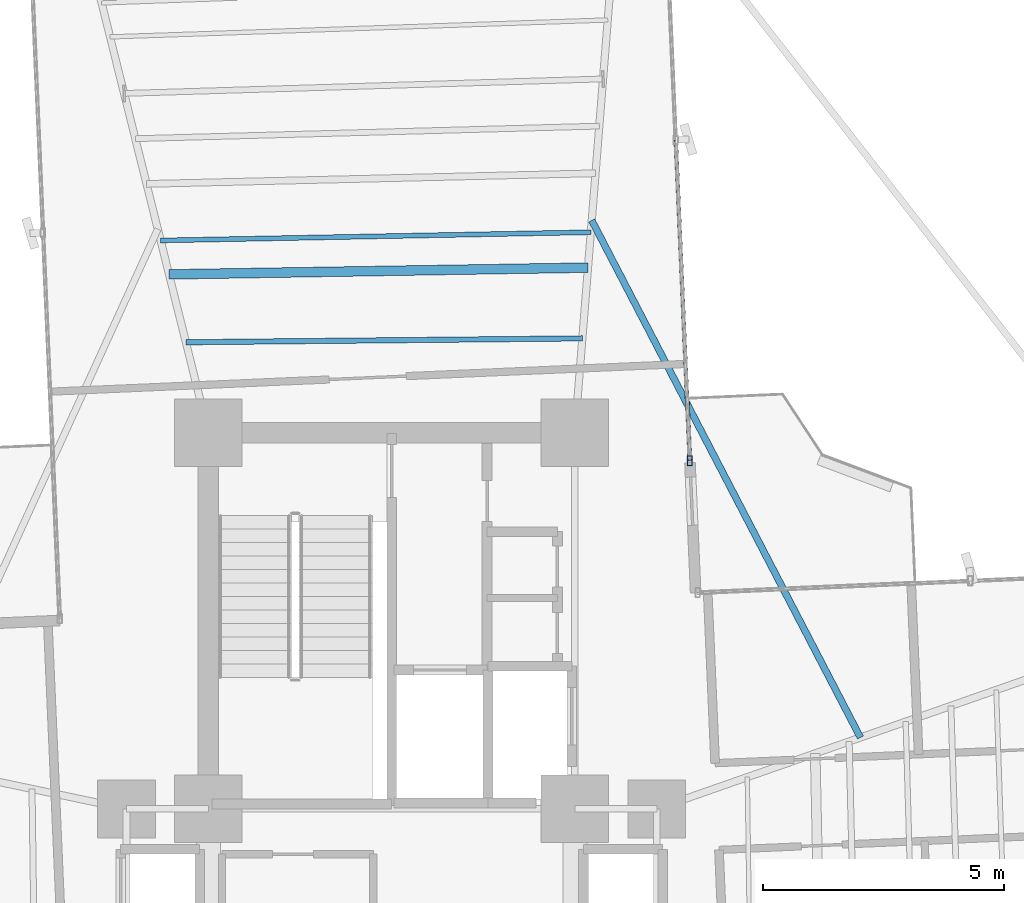
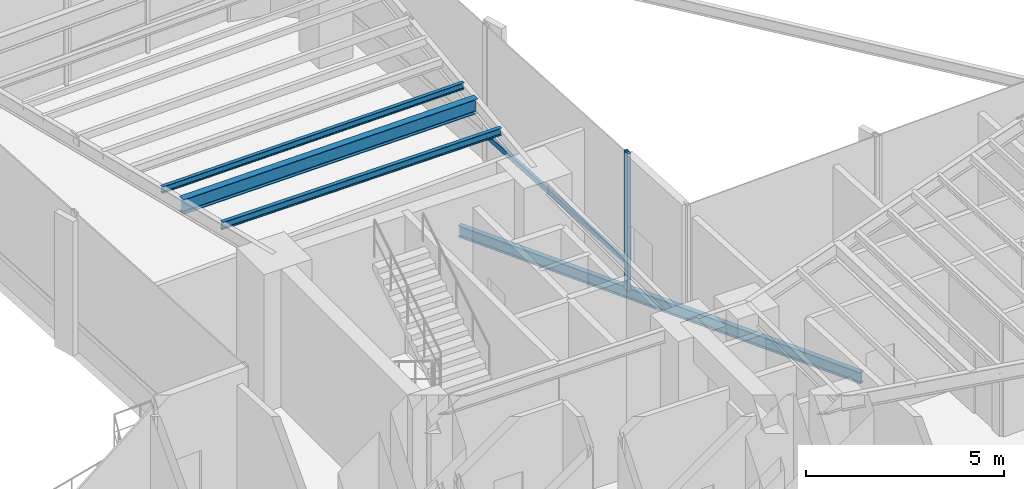
# One storey, part 11 of 23: 4 beams, 2 members, 1 element without a shape of its own.
"""IFC4 building model written with IfcOpenShell, lengths in metres."""

from ifc_helpers import new_model, si_unit, direction, frame, origin, origin_2d, place, context, subcontext, project, spatial, hollow_rectangle, i_section, extrude, source, transform, mapped, material, material_profile, profile_set, type_object, element, aggregate, save


model = new_model("IFC4")

# Units and contexts
model_context = context("Model", 3, precision=1e-05, world=origin(), true_north=direction((0.0, 1.0)))
body_context = subcontext(model_context, "Body", "Model", "MODEL_VIEW")
ifc_project = project(units=[si_unit("LENGTHUNIT", "METRE"), si_unit("AREAUNIT", "SQUARE_METRE"), si_unit("VOLUMEUNIT", "CUBIC_METRE"), si_unit("PLANEANGLEUNIT", "RADIAN"), si_unit("MASSUNIT", "GRAM", prefix="KILO")], contexts=[model_context])

# Site, building, storey
site_placement = place(None, origin())
site = spatial("IfcSite", under=ifc_project, at=site_placement, CompositionType="ELEMENT")
building_placement = place(site_placement, origin())
building = spatial("IfcBuilding", under=site, at=building_placement, Name="Sahyath Konkavel Grand Hotel", CompositionType="ELEMENT")
storey_placement = place(building_placement, frame((0.0, 0.0, 106.949951171875)))
storey = spatial("IfcBuildingStorey", under=building, at=storey_placement, Name="L29", CompositionType="ELEMENT", Elevation=106.949951171875)

# Beams
ifc_material_1 = material(Name="Steel E350", Category="steel")
ifc_material_profile_1 = material_profile(ifc_material_1, i_section(OverallWidth=0.199951171875, OverallDepth=0.449951171875, WebThickness=0.00927734375, FlangeThickness=0.015380859375, FilletRadius=0.01611328125, at=origin_2d()), Name="ISWB 450")
ifc_profile_set_1 = profile_set([ifc_material_profile_1], Name="Steel E350")
beam_type_1 = type_object("IfcBeamType", Name="BM-ISWB450", PredefinedType="BEAM", material=ifc_profile_set_1)
shared_shape_1 = source(origin(), body_context, "Body", "SweptSolid", [
    extrude(i_section(OverallWidth=0.199951171875, OverallDepth=0.449951171875, WebThickness=0.00927734375, FlangeThickness=0.015380859375, FilletRadius=0.01611328125, at=origin_2d()), origin(), (0.0, 0.0, 1.0), 8.68994140625),
])
beam_1_placement = place(storey_placement, frame((4.0732421875, 13.624267578125, 4.03515625), z_axis=(-0.999869506431, -0.016154569283, 0.0), x_axis=(0.016154569283, -0.999869506431, 0.0)))
element("IfcBeam", 1, at=beam_1_placement, inside=storey, type_object=beam_type_1, Name="L29 Secondary Floor Beam N-1", PredefinedType="BEAM", context=body_context, shape_type="MappedRepresentation", body=[
    mapped(shared_shape_1, transform((0.0, 0.0, 0.0), scale=1.0)),
])
ifc_material_profile_2 = material_profile(ifc_material_1, i_section(OverallWidth=0.110107421875, OverallDepth=0.22509765625, WebThickness=0.006591796875, FlangeThickness=0.01171875, FilletRadius=0.011962890625, at=origin_2d()), Name="ISMB 225")
ifc_profile_set_2 = profile_set([ifc_material_profile_2], Name="Steel E350")
beam_type_2 = type_object("IfcBeamType", Name="BM-ISMB225", PredefinedType="BEAM", material=ifc_profile_set_2)
shared_shape_2 = source(origin(), body_context, "Body", "SweptSolid", [
    extrude(i_section(OverallWidth=0.110107421875, OverallDepth=0.22509765625, WebThickness=0.006591796875, FlangeThickness=0.01171875, FilletRadius=0.011962890625, at=origin_2d()), origin(), (0.0, 0.0, 1.0), 8.222900390625),
])
beam_2_placement = place(storey_placement, frame((3.956298828125, 12.15673828125, 4.1474609375), z_axis=(-0.999952289679, -0.009768232528, 0.0), x_axis=(0.009768232528, -0.999952289679, 0.0)))
element("IfcBeam", 2, at=beam_2_placement, inside=storey, type_object=beam_type_2, Name="L29 Composite Deck Sub-Beam N-1", PredefinedType="BEAM", context=body_context, shape_type="MappedRepresentation", body=[
    mapped(shared_shape_2, transform((0.0, 0.0, 0.0), scale=1.0)),
])
ifc_material_profile_3 = material_profile(ifc_material_1, i_section(OverallWidth=0.10009765625, OverallDepth=0.199951171875, WebThickness=0.005615234375, FlangeThickness=0.0107421875, FilletRadius=0.010986328125, at=origin_2d()), Name="ISMB 200")
ifc_profile_set_3 = profile_set([ifc_material_profile_3], Name="Steel E350")
beam_type_3 = type_object("IfcBeamType", Name="BM-ISMB200", PredefinedType="BEAM", material=ifc_profile_set_3)
shared_shape_3 = source(origin(), body_context, "Body", "SweptSolid", [
    extrude(i_section(OverallWidth=0.10009765625, OverallDepth=0.199951171875, WebThickness=0.005615234375, FlangeThickness=0.0107421875, FilletRadius=0.010986328125, at=origin_2d()), origin(), (0.0, 0.0, 1.0), 8.923828125),
])
beam_3_placement = place(storey_placement, frame((4.1318359375, 14.358154296875, 4.16015625), z_axis=(-0.99981712713, -0.019123605743, 0.0), x_axis=(0.019123605743, -0.99981712713, 0.0)))
element("IfcBeam", 3, at=beam_3_placement, inside=storey, type_object=beam_type_3, Name="L29 Composite Deck Sub-Beam N-2", PredefinedType="BEAM", context=body_context, shape_type="MappedRepresentation", body=[
    mapped(shared_shape_3, transform((0.0, 0.0, 0.0), scale=1.0)),
])

# Curtain wall, members
ifc_material_2 = material(Name="Anodised Bronze Aluminium & Low-E Glazing", Category="aluminium")
curtain_wall_type = type_object("IfcCurtainWallType", Name="CW-SKYLOBBY", PredefinedType="NOTDEFINED", material=ifc_material_2)
curtain_wall_placement = place(storey_placement, origin())
curtain_wall = element("IfcCurtainWall", 4, at=curtain_wall_placement, inside=storey, type_object=curtain_wall_type, Name="L29 Unitised Curtain Wall F8", PredefinedType="NOTDEFINED")
ifc_material_3 = material(Name="Anodised Bronze Aluminium", Category="aluminium")
ifc_material_profile_4 = material_profile(ifc_material_3, hollow_rectangle(XDim=0.10009765625, YDim=0.199951171875, WallThickness=0.008056640625, at=origin_2d()), Name="RHS 200x100x8")
ifc_profile_set_4 = profile_set([ifc_material_profile_4], Name="Anodised Bronze Aluminium")
member_type_1 = type_object("IfcMemberType", Name="CW-MUL-200", PredefinedType="MULLION", material=ifc_profile_set_4)
shared_shape_4 = source(origin(), body_context, "Body", "SweptSolid", [
    extrude(hollow_rectangle(XDim=0.10009765625, YDim=0.199951171875, WallThickness=0.008056640625, at=origin_2d()), origin(), (0.0, 0.0, 1.0), 4.260009765625),
])
member_1_placement = place(storey_placement, frame((6.186279296875, 9.618896484375, 0.0), z_axis=(0.0, 0.0, 1.0), x_axis=(1.0, 0.0, 0.0)))
member_1 = element("IfcMember", 5, at=member_1_placement, type_object=member_type_1, Name="L29 Curtain Wall Mullion F8-0", PredefinedType="MULLION", context=body_context, shape_type="MappedRepresentation", body=[
    mapped(shared_shape_4, transform((0.0, 0.0, 0.0), scale=1.0)),
])
ifc_material_profile_5 = material_profile(ifc_material_3, hollow_rectangle(XDim=0.080078125, YDim=0.159912109375, WallThickness=0.006103515625, at=origin_2d()), Name="RHS 160x80x6")
ifc_profile_set_5 = profile_set([ifc_material_profile_5], Name="Anodised Bronze Aluminium")
member_type_2 = type_object("IfcMemberType", Name="CW-TRN-160", PredefinedType="USERDEFINED", material=ifc_profile_set_5)
shared_shape_5 = source(origin(), body_context, "Body", "SweptSolid", [
    extrude(hollow_rectangle(XDim=0.080078125, YDim=0.159912109375, WallThickness=0.006103515625, at=origin_2d()), origin(), (0.0, 0.0, 1.0), 6.66015625),
])
member_2_placement = place(storey_placement, frame((6.186279296875, 9.618896484375, 0.85009765625), z_axis=(-0.043621753165, 0.999048118286, 0.0), x_axis=(-0.999048118286, -0.043621753165, 0.0)))
member_2 = element("IfcMember", 6, at=member_2_placement, type_object=member_type_2, Name="L29 Curtain Wall Transom F8-0-spandrel", ObjectType="TRANSOM", PredefinedType="USERDEFINED", context=body_context, shape_type="MappedRepresentation", body=[
    mapped(shared_shape_5, transform((0.0, 0.0, 0.0), scale=1.0)),
])
aggregate(curtain_wall, [member_1, member_2])

# Beam
ifc_material_profile_6 = material_profile(ifc_material_1, i_section(OverallWidth=0.139892578125, OverallDepth=0.35009765625, WebThickness=0.008056640625, FlangeThickness=0.01416015625, FilletRadius=0.013916015625, at=origin_2d()), Name="ISMB 350")
ifc_profile_set_6 = profile_set([ifc_material_profile_6], Name="Steel E350")
beam_type_4 = type_object("IfcBeamType", Name="BM-BALC-CANT", PredefinedType="BEAM", material=ifc_profile_set_6)
shared_shape_6 = source(origin(), body_context, "Body", "SweptSolid", [
    extrude(i_section(OverallWidth=0.139892578125, OverallDepth=0.35009765625, WebThickness=0.008056640625, FlangeThickness=0.01416015625, FilletRadius=0.013916015625, at=origin_2d()), origin(), (0.0, 0.0, 1.0), 12.085205078125),
])
beam_4_placement = place(storey_placement, frame((9.7236328125, 3.87890625, -0.474853515625), z_axis=(-0.461082384626, 0.887357331962, 0.0), x_axis=(-0.887357331962, -0.461082384626, 0.0)))
element("IfcBeam", 7, at=beam_4_placement, inside=storey, type_object=beam_type_4, Name="L29 Balcony Cantilever Support Beam NE", PredefinedType="BEAM", context=body_context, shape_type="MappedRepresentation", body=[
    mapped(shared_shape_6, transform((0.0, 0.0, 0.0), scale=1.0)),
])

save(model, "model.ifc")
